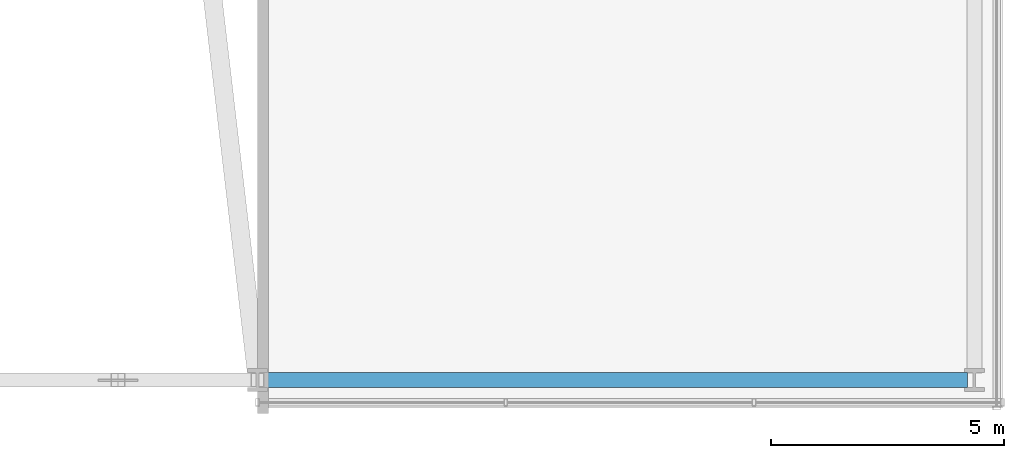
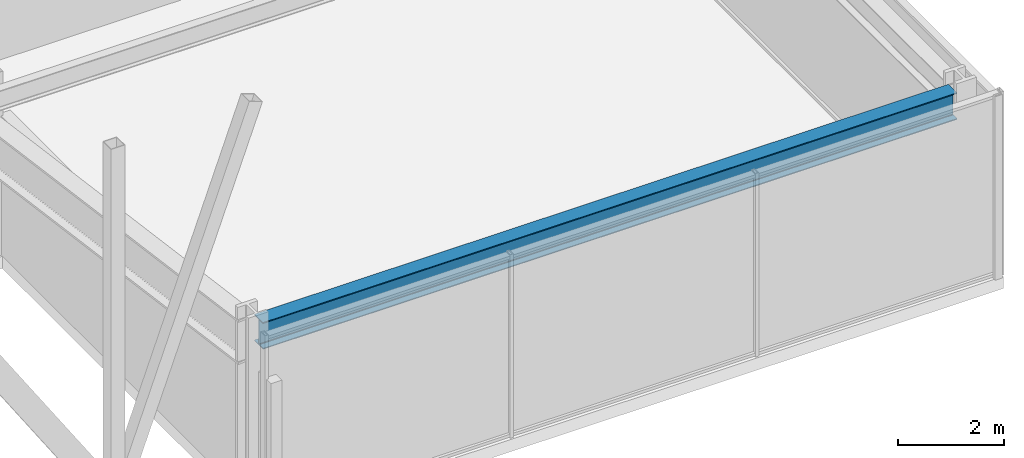
# One storey, part 15 of 47: 1 beam.
"""IFC4 building model written with IfcOpenShell, lengths in metres."""

from ifc_helpers import new_model, si_unit, direction, frame, origin, origin_2d, place, context, subcontext, project, spatial, i_section, extrude, material, material_profile, profile_set, type_object, element, save


model = new_model("IFC4")

# Units and contexts
model_context = context("Model", 3, precision=1e-05, world=origin(), true_north=direction((0.0, 1.0)))
body_context = subcontext(model_context, "Body", "Model", "MODEL_VIEW")
ifc_project = project(units=[si_unit("LENGTHUNIT", "METRE"), si_unit("AREAUNIT", "SQUARE_METRE"), si_unit("VOLUMEUNIT", "CUBIC_METRE"), si_unit("PLANEANGLEUNIT", "RADIAN"), si_unit("MASSUNIT", "GRAM", prefix="KILO")], contexts=[model_context])

# Site, building, storey
site_placement = place(None, origin())
site = spatial("IfcSite", under=ifc_project, at=site_placement, CompositionType="ELEMENT")
building_placement = place(site_placement, origin())
building = spatial("IfcBuilding", under=site, at=building_placement, Name="Kolvaren Belvedere", CompositionType="ELEMENT")
storey_placement = place(building_placement, frame((0.0, 0.0, 5.5)))
storey = spatial("IfcBuildingStorey", under=building, at=storey_placement, Name="L02", CompositionType="ELEMENT", Elevation=5.5)

# Beam
ifc_material = material(Name="Structural steel ASTM A992 Grade 50", Category="steel")
ifc_material_profile = material_profile(ifc_material, i_section(OverallWidth=0.324951171875, OverallDepth=0.615966796875, WebThickness=0.013916015625, FlangeThickness=0.021484375, FilletRadius=0.02001953125, at=origin_2d()), Name="W24X117")
ifc_profile_set = profile_set([ifc_material_profile], Name="Structural steel ASTM A992 Grade 50")
beam_type = type_object("IfcBeamType", Name="BM-SPAN-W24X117", PredefinedType="SPANDREL", material=ifc_profile_set)
beam_placement = place(storey_placement, frame((12.14990234375, -27.800048828125, 3.912109375), z_axis=(1.0, 0.0, 0.0), x_axis=(0.0, 1.0, 0.0)))
element("IfcBeam", 1, at=beam_placement, inside=storey, type_object=beam_type, Name="L02 South Podium Spandrel 3", PredefinedType="SPANDREL", context=body_context, shape_type="SweptSolid", body=[
    extrude(i_section(OverallWidth=0.324951171875, OverallDepth=0.615966796875, WebThickness=0.013916015625, FlangeThickness=0.021484375, FilletRadius=0.02001953125, at=origin_2d()), origin(), (0.0, 0.0, 1.0), 15.10009765625),
])

save(model, "model.ifc")
